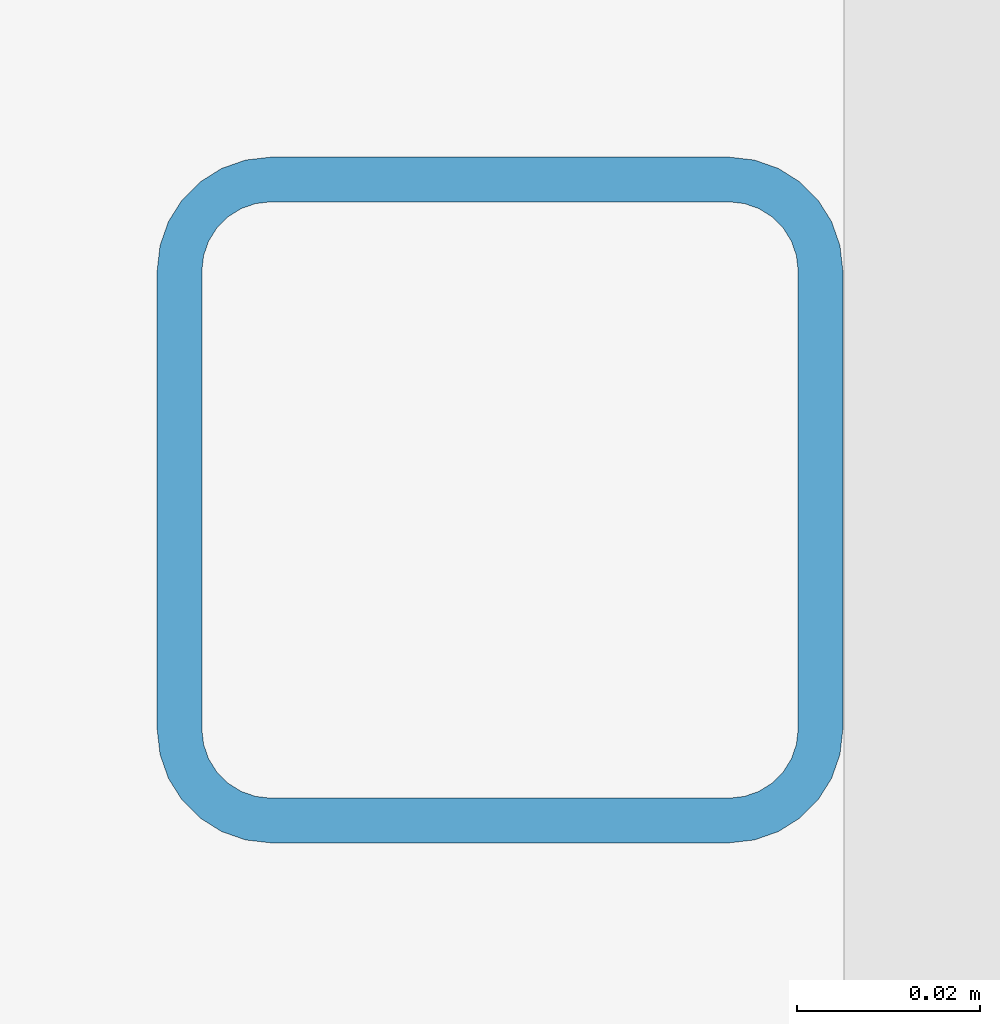
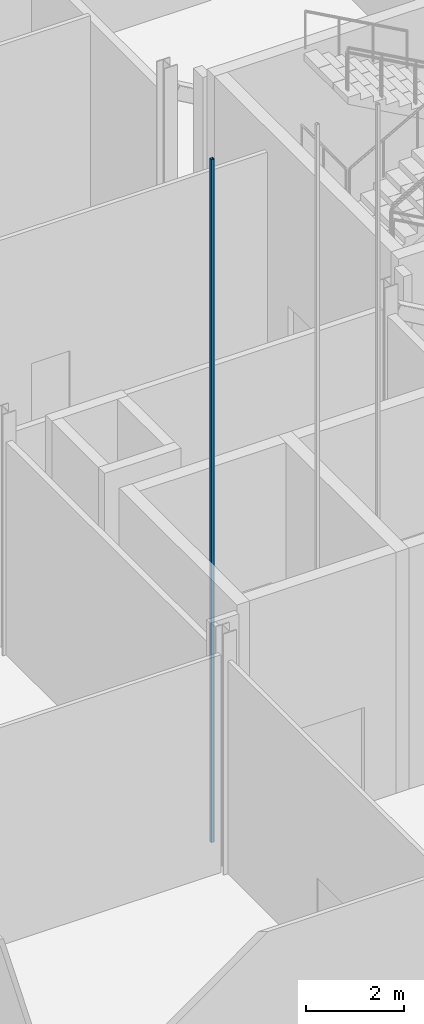
# One storey, part 42 of 139: 1 member.
"""IFC4 building model written with IfcOpenShell, lengths in metres."""

from ifc_helpers import new_model, si_unit, direction, frame, origin, origin_2d, place, context, subcontext, project, spatial, hollow_rectangle, extrude, material, material_profile, profile_set, type_object, element, save


model = new_model("IFC4")

# Units and contexts
model_context = context("Model", 3, precision=1e-05, world=origin(), true_north=direction((0.0, 1.0)))
body_context = subcontext(model_context, "Body", "Model", "MODEL_VIEW")
ifc_project = project(units=[si_unit("LENGTHUNIT", "METRE"), si_unit("AREAUNIT", "SQUARE_METRE"), si_unit("VOLUMEUNIT", "CUBIC_METRE"), si_unit("PLANEANGLEUNIT", "RADIAN"), si_unit("MASSUNIT", "GRAM", prefix="KILO")], contexts=[model_context])

# Site, building, storey
site_placement = place(None, origin())
site = spatial("IfcSite", under=ifc_project, at=site_placement, CompositionType="ELEMENT")
building_placement = place(site_placement, origin())
building = spatial("IfcBuilding", under=site, at=building_placement, Name="Shorebreak Coast Museum", CompositionType="ELEMENT")
storey_placement = place(building_placement, origin())
storey = spatial("IfcBuildingStorey", under=building, at=storey_placement, Name="L00", CompositionType="ELEMENT", Elevation=0.0)

# Member
ifc_material = material(Name="Steel Grade C450L0", Category="steel")
ifc_material_profile = material_profile(ifc_material, hollow_rectangle(XDim=0.074951171875, YDim=0.074951171875, WallThickness=0.0048828125, InnerFilletRadius=0.007568359375, OuterFilletRadius=0.012451171875, at=origin_2d()), Name="75x75x5.0 SHS")
ifc_profile_set = profile_set([ifc_material_profile], Name="Steel Grade C450L0")
member_type = type_object("IfcMemberType", Name="Lift guide rail 75x75x5.0 SHS", PredefinedType="POST", material=ifc_profile_set)
member_placement = place(storey_placement, frame((100.3125, 20.85009765625, -1.5), z_axis=(0.0, 0.0, 1.0), x_axis=(1.0, 0.0, 0.0)))
element("IfcMember", 1, at=member_placement, inside=storey, type_object=member_type, Name="Goods Lift 1 guide rail", PredefinedType="POST", context=body_context, shape_type="SweptSolid", body=[
    extrude(hollow_rectangle(XDim=0.074951171875, YDim=0.074951171875, WallThickness=0.0048828125, InnerFilletRadius=0.007568359375, OuterFilletRadius=0.012451171875, at=origin_2d()), origin(), (0.0, 0.0, 1.0), 17.0),
])

save(model, "model.ifc")
